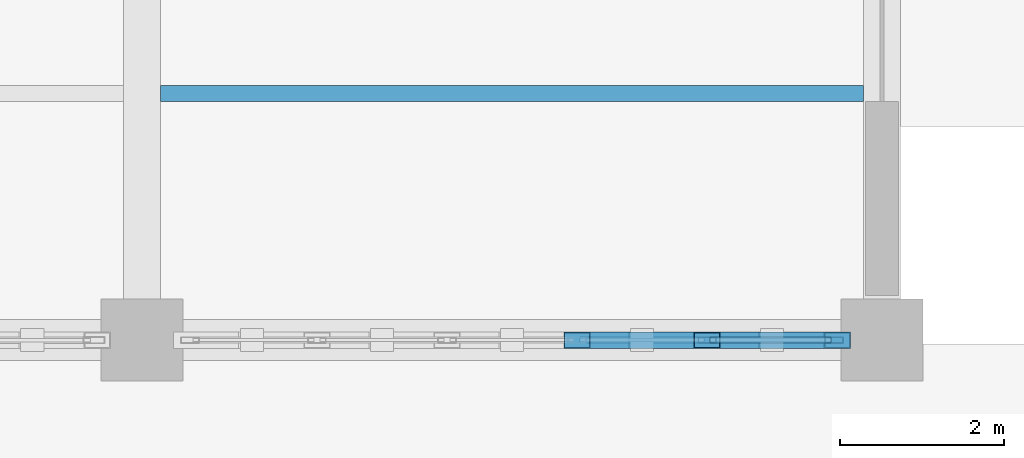
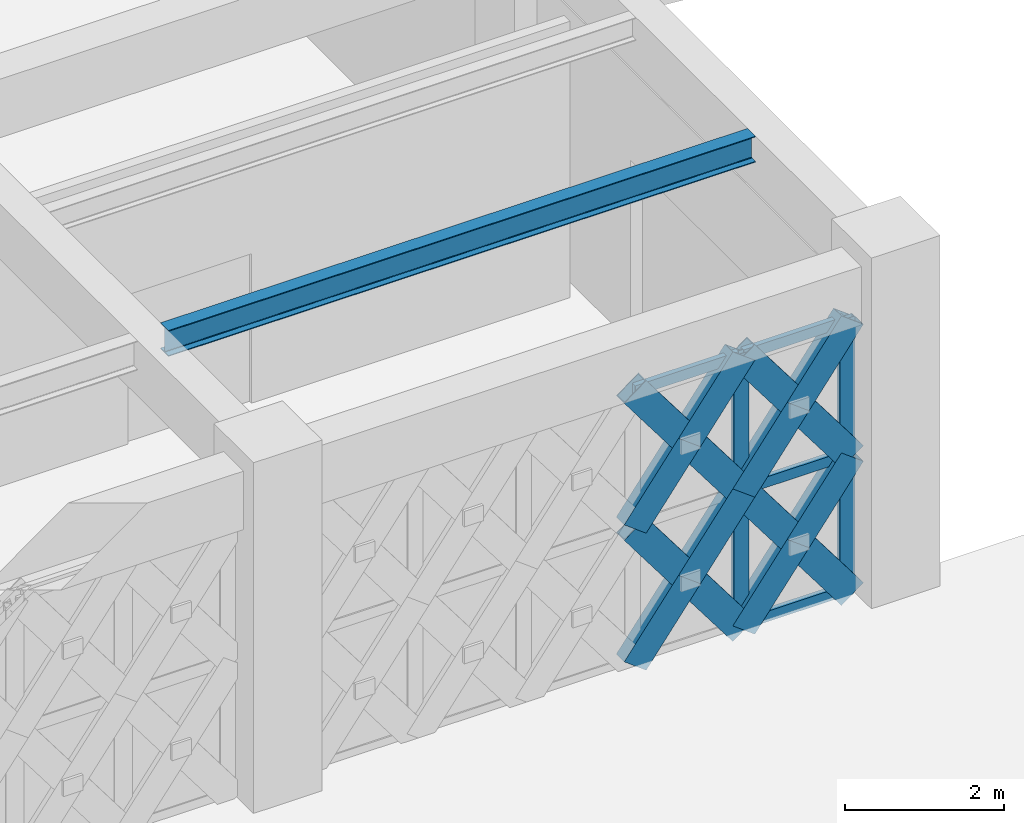
# One storey, part 64 of 140: 18 members, 1 beam, 1 element without a shape of its own.
"""IFC4 building model written with IfcOpenShell, lengths in metres."""

from ifc_helpers import new_model, si_unit, direction, frame, origin, origin_2d, place, context, subcontext, project, spatial, hollow_rectangle, i_section, extrude, material, material_profile, profile_set, type_object, element, aggregate, save


model = new_model("IFC4")

# Units and contexts
model_context = context("Model", 3, precision=1e-05, world=origin(), true_north=direction((0.0, 1.0)))
body_context = subcontext(model_context, "Body", "Model", "MODEL_VIEW")
ifc_project = project(units=[si_unit("LENGTHUNIT", "METRE"), si_unit("AREAUNIT", "SQUARE_METRE"), si_unit("VOLUMEUNIT", "CUBIC_METRE"), si_unit("PLANEANGLEUNIT", "RADIAN"), si_unit("MASSUNIT", "GRAM", prefix="KILO")], contexts=[model_context])

# Site, building, storey
site_placement = place(None, origin())
site = spatial("IfcSite", under=ifc_project, at=site_placement, CompositionType="ELEMENT")
building_placement = place(site_placement, origin())
building = spatial("IfcBuilding", under=site, at=building_placement, Name="Haizhuo Lancet Aquarium", CompositionType="ELEMENT")
storey_placement = place(building_placement, origin())
storey = spatial("IfcBuildingStorey", under=building, at=storey_placement, Name="L00", CompositionType="ELEMENT", Elevation=0.0)

# Curtain wall, members
ifc_material_1 = material(Name="Aluminium 6063-T6", Category="aluminium")
curtain_wall_type = type_object("IfcCurtainWallType", Name="CWD-7910x4220", PredefinedType="NOTDEFINED", material=ifc_material_1)
curtain_wall_placement = place(storey_placement, origin())
curtain_wall = element("IfcCurtainWall", 1, at=curtain_wall_placement, inside=storey, type_object=curtain_wall_type, Name="L00 curtain wall CW-V5-L00-122", PredefinedType="NOTDEFINED")
ifc_material_profile_1 = material_profile(ifc_material_1, hollow_rectangle(XDim=0.074951171875, YDim=0.219970703125, WallThickness=0.0048828125, at=origin_2d()), Name="ALU-M 75x220x5")
ifc_profile_set_1 = profile_set([ifc_material_profile_1], Name="Aluminium 6063-T6")
member_type_1 = type_object("IfcMemberType", Name="CW-MUL-2", PredefinedType="MULLION", material=ifc_profile_set_1)
member_1_placement = place(storey_placement, frame((26.4169921875, 36.0, 0.0), z_axis=(0.0, 0.0, 1.0), x_axis=(0.0, -1.0, 0.0)))
member_1 = element("IfcMember", 2, at=member_1_placement, type_object=member_type_1, Name="CWD-79x42 mullion 1", PredefinedType="MULLION", context=body_context, shape_type="SweptSolid", body=[
    extrude(hollow_rectangle(XDim=0.074951171875, YDim=0.219970703125, WallThickness=0.0048828125, at=origin_2d()), origin(), (0.0, 0.0, 1.0), 4.219970703125),
])
member_2_placement = place(storey_placement, frame((24.873046875, 36.0, 0.0), z_axis=(0.0, 0.0, 1.0), x_axis=(0.0, -1.0, 0.0)))
member_2 = element("IfcMember", 3, at=member_2_placement, type_object=member_type_1, Name="CWD-79x42 mullion 2", PredefinedType="MULLION", context=body_context, shape_type="SweptSolid", body=[
    extrude(hollow_rectangle(XDim=0.074951171875, YDim=0.219970703125, WallThickness=0.0048828125, at=origin_2d()), origin(), (0.0, 0.0, 1.0), 4.219970703125),
])
ifc_material_profile_2 = material_profile(ifc_material_1, hollow_rectangle(XDim=0.074951171875, YDim=0.159912109375, WallThickness=0.00390625, at=origin_2d()), Name="ALU-T 75x160x4")
ifc_profile_set_2 = profile_set([ifc_material_profile_2], Name="Aluminium 6063-T6")
member_type_2 = type_object("IfcMemberType", Name="CW-TRN-2", PredefinedType="NOTDEFINED", material=ifc_profile_set_2)
member_3_placement = place(storey_placement, frame((26.3798828125, 36.0, 0.037109375), z_axis=(-1.0, 0.0, 0.0), x_axis=(0.0, -1.0, 0.0)))
member_3 = element("IfcMember", 4, at=member_3_placement, type_object=member_type_2, Name="CWD-79x42 transom 1.1", ObjectType="TRANSOM", PredefinedType="USERDEFINED", context=body_context, shape_type="SweptSolid", body=[
    extrude(hollow_rectangle(XDim=0.074951171875, YDim=0.159912109375, WallThickness=0.00390625, at=origin_2d()), origin(), (0.0, 0.0, 1.0), 1.469970703125),
])
member_4_placement = place(storey_placement, frame((26.3798828125, 36.0, 2.110107421875), z_axis=(-1.0, 0.0, 0.0), x_axis=(0.0, -1.0, 0.0)))
member_4 = element("IfcMember", 5, at=member_4_placement, type_object=member_type_2, Name="CWD-79x42 transom 1.2", ObjectType="TRANSOM", PredefinedType="USERDEFINED", context=body_context, shape_type="SweptSolid", body=[
    extrude(hollow_rectangle(XDim=0.074951171875, YDim=0.159912109375, WallThickness=0.00390625, at=origin_2d()), origin(), (0.0, 0.0, 1.0), 1.469970703125),
])
member_5_placement = place(storey_placement, frame((26.3798828125, 36.0, 4.18310546875), z_axis=(-1.0, 0.0, 0.0), x_axis=(0.0, -1.0, 0.0)))
member_5 = element("IfcMember", 6, at=member_5_placement, type_object=member_type_2, Name="CWD-79x42 transom 1.3", ObjectType="TRANSOM", PredefinedType="USERDEFINED", context=body_context, shape_type="SweptSolid", body=[
    extrude(hollow_rectangle(XDim=0.074951171875, YDim=0.159912109375, WallThickness=0.00390625, at=origin_2d()), origin(), (0.0, 0.0, 1.0), 1.469970703125),
])
member_6_placement = place(storey_placement, frame((24.8349609375, 36.0, 4.18310546875), z_axis=(-1.0, 0.0, 0.0), x_axis=(0.0, -1.0, 0.0)))
member_6 = element("IfcMember", 7, at=member_6_placement, type_object=member_type_2, Name="CWD-79x42 transom 2.3", ObjectType="TRANSOM", PredefinedType="USERDEFINED", context=body_context, shape_type="SweptSolid", body=[
    extrude(hollow_rectangle(XDim=0.074951171875, YDim=0.159912109375, WallThickness=0.00390625, at=origin_2d()), origin(), (0.0, 0.0, 1.0), 1.507080078125),
])
aggregate(curtain_wall, [member_1, member_2, member_3, member_4, member_5, member_6])

# Beam
ifc_material_2 = material(Name="Steel S355", Category="steel")
ifc_material_profile_3 = material_profile(ifc_material_2, i_section(OverallWidth=0.199951171875, OverallDepth=0.39990234375, WebThickness=0.008056640625, FlangeThickness=0.012939453125, FilletRadius=0.01611328125, at=origin_2d()), Name="HN 400x200x8x13")
ifc_profile_set_3 = profile_set([ifc_material_profile_3], Name="Steel S355")
beam_type = type_object("IfcBeamType", Name="JST-ST-HN400", PredefinedType="JOIST", material=ifc_profile_set_3)
beam_placement = place(storey_placement, frame((18.22509765625, 39.0, 4.919921875), z_axis=(1.0, 0.0, 0.0), x_axis=(0.0, 1.0, 0.0)))
element("IfcBeam", 8, at=beam_placement, inside=storey, type_object=beam_type, Name="L00 V5 secondary floor joist 21", PredefinedType="JOIST", context=body_context, shape_type="SweptSolid", body=[
    extrude(i_section(OverallWidth=0.199951171875, OverallDepth=0.39990234375, WebThickness=0.008056640625, FlangeThickness=0.012939453125, FilletRadius=0.01611328125, at=origin_2d()), origin(), (0.0, 0.0, 1.0), 8.5498046875),
])

# Members
ifc_material_profile_4 = material_profile(ifc_material_2, hollow_rectangle(XDim=0.199951171875, YDim=0.39990234375, WallThickness=0.011962890625, at=origin_2d()), Name="RHS 200x400x12")
ifc_profile_set_4 = profile_set([ifc_material_profile_4], Name="Steel S355")
member_type_3 = type_object("IfcMemberType", Name="MEM-LB-RHS200x400", PredefinedType="BRACE", material=ifc_profile_set_4)
member_7_placement = place(storey_placement, frame((26.455078125, 36.0, 0.0), z_axis=(-0.599866687962, 0.0, 0.800099966675), x_axis=(0.0, -1.0, 0.0)))
element("IfcMember", 9, at=member_7_placement, inside=storey, type_object=member_type_3, Name="Gothic lancet continuous diagonal brace CW-V5-L00-122 1A", PredefinedType="BRACE", context=body_context, shape_type="SweptSolid", body=[
    extrude(hollow_rectangle(XDim=0.199951171875, YDim=0.39990234375, WallThickness=0.011962890625, at=origin_2d()), origin(), (0.0, 0.0, 1.0), 2.63720703125),
])
member_8_placement = place(storey_placement, frame((24.873046875, 36.0, 0.0), z_axis=(0.599911120576, 0.0, 0.800066651854), x_axis=(0.0, 1.0, 0.0)))
element("IfcMember", 10, at=member_8_placement, inside=storey, type_object=member_type_3, Name="Gothic lancet split diagonal brace CW-V5-L00-122 1B1", PredefinedType="BRACE", context=body_context, shape_type="SweptSolid", body=[
    extrude(hollow_rectangle(XDim=0.199951171875, YDim=0.39990234375, WallThickness=0.011962890625, at=origin_2d()), origin(), (0.0, 0.0, 1.0), 1.318603515625),
])
member_9_placement = place(storey_placement, frame((25.6640625, 36.0, 1.054931640625), z_axis=(0.59982226008, 0.0, 0.800133274094), x_axis=(0.0, 1.0, 0.0)))
element("IfcMember", 11, at=member_9_placement, inside=storey, type_object=member_type_3, Name="Gothic lancet split diagonal brace CW-V5-L00-122 1B2", PredefinedType="BRACE", context=body_context, shape_type="SweptSolid", body=[
    extrude(hollow_rectangle(XDim=0.199951171875, YDim=0.39990234375, WallThickness=0.011962890625, at=origin_2d()), origin(), (0.0, 0.0, 1.0), 1.31884765625),
])
member_10_placement = place(storey_placement, frame((26.455078125, 36.0, 2.110107421875), z_axis=(-0.599911120576, 0.0, 0.800066651854), x_axis=(0.0, -1.0, 0.0)))
element("IfcMember", 12, at=member_10_placement, inside=storey, type_object=member_type_3, Name="Gothic lancet continuous diagonal brace CW-V5-L00-122 2A", PredefinedType="BRACE", context=body_context, shape_type="SweptSolid", body=[
    extrude(hollow_rectangle(XDim=0.199951171875, YDim=0.39990234375, WallThickness=0.011962890625, at=origin_2d()), origin(), (0.0, 0.0, 1.0), 2.63720703125),
])
for number, where, z_axis, x_axis, name in (
    (13, (24.873046875, 36.0, 2.110107421875), (0.599911120576, 0.0, 0.800066651854), (0.0, 1.0, 0.0), "Gothic lancet split diagonal brace CW-V5-L00-122 2B1"),
    (14, (25.6640625, 36.0, 3.1650390625), (0.599911120576, 0.0, 0.800066651854), (0.0, 1.0, 0.0), "Gothic lancet split diagonal brace CW-V5-L00-122 2B2"),
):
    element("IfcMember", number, at=place(storey_placement, frame(where, z_axis=z_axis, x_axis=x_axis)), inside=storey, type_object=member_type_3, Name=name, PredefinedType="BRACE", context=body_context, shape_type="SweptSolid", body=[
        extrude(hollow_rectangle(XDim=0.199951171875, YDim=0.39990234375, WallThickness=0.011962890625, at=origin_2d()), origin(), (0.0, 0.0, 1.0), 1.318603515625),
    ])
member_11_placement = place(storey_placement, frame((24.873046875, 36.0, 0.0), z_axis=(-0.599866687962, 0.0, 0.800099966675), x_axis=(0.0, -1.0, 0.0)))
element("IfcMember", 15, at=member_11_placement, inside=storey, type_object=member_type_3, Name="Gothic lancet continuous diagonal brace CW-V5-L00-122 3A", PredefinedType="BRACE", context=body_context, shape_type="SweptSolid", body=[
    extrude(hollow_rectangle(XDim=0.199951171875, YDim=0.39990234375, WallThickness=0.011962890625, at=origin_2d()), origin(), (0.0, 0.0, 1.0), 2.63720703125),
])
member_12_placement = place(storey_placement, frame((23.291015625, 36.0, 0.0), z_axis=(0.599911120576, 0.0, 0.800066651854), x_axis=(0.0, 1.0, 0.0)))
element("IfcMember", 16, at=member_12_placement, inside=storey, type_object=member_type_3, Name="Gothic lancet split diagonal brace CW-V5-L00-122 3B1", PredefinedType="BRACE", context=body_context, shape_type="SweptSolid", body=[
    extrude(hollow_rectangle(XDim=0.199951171875, YDim=0.39990234375, WallThickness=0.011962890625, at=origin_2d()), origin(), (0.0, 0.0, 1.0), 1.318603515625),
])
member_13_placement = place(storey_placement, frame((24.08203125, 36.0, 1.054931640625), z_axis=(0.59982226008, 0.0, 0.800133274094), x_axis=(0.0, 1.0, 0.0)))
element("IfcMember", 17, at=member_13_placement, inside=storey, type_object=member_type_3, Name="Gothic lancet split diagonal brace CW-V5-L00-122 3B2", PredefinedType="BRACE", context=body_context, shape_type="SweptSolid", body=[
    extrude(hollow_rectangle(XDim=0.199951171875, YDim=0.39990234375, WallThickness=0.011962890625, at=origin_2d()), origin(), (0.0, 0.0, 1.0), 1.31884765625),
])
member_14_placement = place(storey_placement, frame((24.873046875, 36.0, 2.110107421875), z_axis=(-0.599911120576, 0.0, 0.800066651854), x_axis=(0.0, -1.0, 0.0)))
element("IfcMember", 18, at=member_14_placement, inside=storey, type_object=member_type_3, Name="Gothic lancet continuous diagonal brace CW-V5-L00-122 4A", PredefinedType="BRACE", context=body_context, shape_type="SweptSolid", body=[
    extrude(hollow_rectangle(XDim=0.199951171875, YDim=0.39990234375, WallThickness=0.011962890625, at=origin_2d()), origin(), (0.0, 0.0, 1.0), 2.63720703125),
])
for number, where, z_axis, x_axis, name in (
    (19, (23.291015625, 36.0, 2.110107421875), (0.599911120576, 0.0, 0.800066651854), (0.0, 1.0, 0.0), "Gothic lancet split diagonal brace CW-V5-L00-122 4B1"),
    (20, (24.08203125, 36.0, 3.1650390625), (0.599911120576, 0.0, 0.800066651854), (0.0, 1.0, 0.0), "Gothic lancet split diagonal brace CW-V5-L00-122 4B2"),
):
    element("IfcMember", number, at=place(storey_placement, frame(where, z_axis=z_axis, x_axis=x_axis)), inside=storey, type_object=member_type_3, Name=name, PredefinedType="BRACE", context=body_context, shape_type="SweptSolid", body=[
        extrude(hollow_rectangle(XDim=0.199951171875, YDim=0.39990234375, WallThickness=0.011962890625, at=origin_2d()), origin(), (0.0, 0.0, 1.0), 1.318603515625),
    ])

save(model, "model.ifc")
